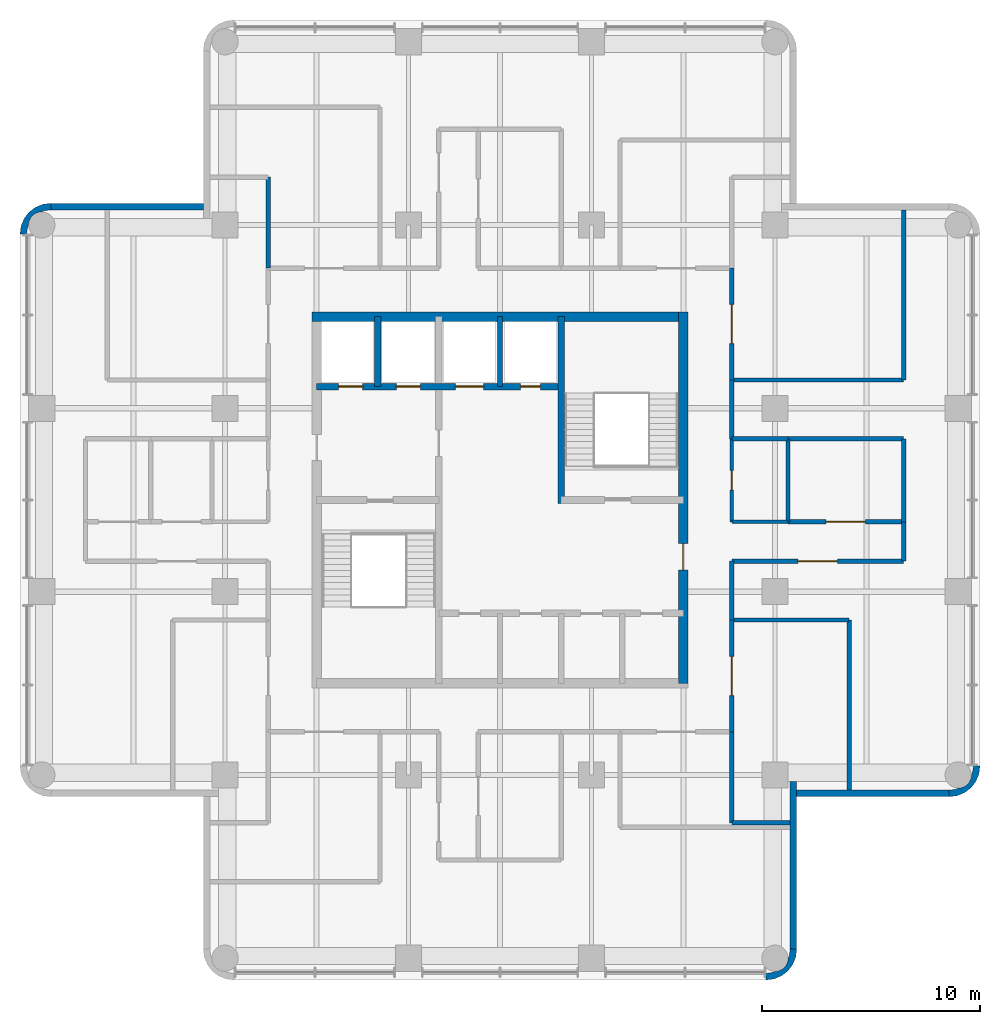
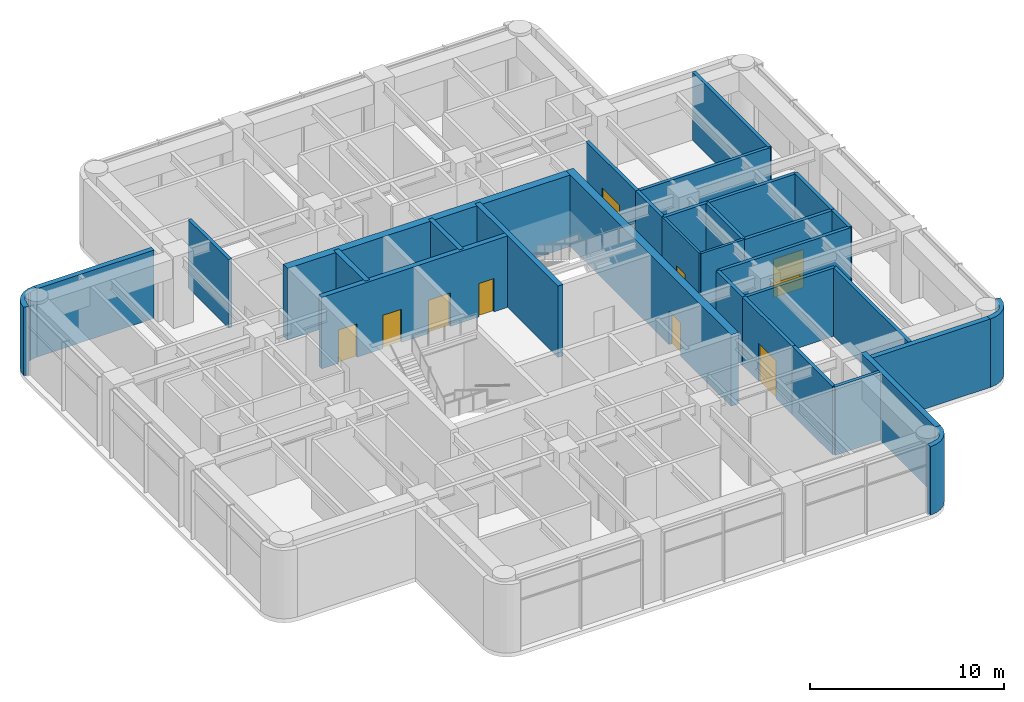
# One storey, part 6 of 8: 32 walls, 10 doors, 10 openings.
"""IFC4 building model written with IfcOpenShell, lengths in metres."""

from ifc_helpers import new_model, si_unit, direction, frame, frame_2d, origin, place, context, subcontext, project, spatial, polyline, rectangle, outline, extrude, material, layer, layer_set, type_object, element, fill, save


model = new_model("IFC4")

# Units and contexts
model_context = context("Model", 3, precision=1e-05, world=origin(), true_north=direction((0.0, 1.0)))
body_context = subcontext(model_context, "Body", "Model", "MODEL_VIEW")
ifc_project = project(units=[si_unit("LENGTHUNIT", "METRE"), si_unit("AREAUNIT", "SQUARE_METRE"), si_unit("VOLUMEUNIT", "CUBIC_METRE"), si_unit("PLANEANGLEUNIT", "RADIAN"), si_unit("MASSUNIT", "GRAM", prefix="KILO")], contexts=[model_context])

# Site, building, storey
site_placement = place(None, origin())
site = spatial("IfcSite", under=ifc_project, at=site_placement, CompositionType="ELEMENT")
building_placement = place(site_placement, origin())
building = spatial("IfcBuilding", under=site, at=building_placement, Name="Torre Alcanfor", CompositionType="ELEMENT")
storey_placement = place(building_placement, frame((0.0, 0.0, 305.39990234375)))
storey = spatial("IfcBuildingStorey", under=building, at=storey_placement, Name="L80", CompositionType="ELEMENT", Elevation=305.39990234375)

# Wall, openings, doors
ifc_material_1 = material(Name="Concrete f'c 70 MPa", Category="concrete")
ifc_layer_1 = layer(ifc_material_1, 0.300048828125)
ifc_layer_set_1 = layer_set([ifc_layer_1], Name="Core inner wall 300 f'c70")
wall_type_1 = type_object("IfcWallType", Name="Core inner wall 300 f'c70", PredefinedType="SHEAR", material=ifc_layer_set_1)
wall_1_placement = place(storey_placement, frame((21.0, 34.60009765625, 0.0), z_axis=(0.0, 0.0, 1.0), x_axis=(1.0, 0.0, 0.0)))
wall_1 = element("IfcWall", 1, at=wall_1_placement, inside=storey, type_object=wall_type_1, Name="Core wall Y346 L80", PredefinedType="SHEAR", context=body_context, shape_type="SweptSolid", body=[
    extrude(rectangle(XDim=11.199951171875, YDim=0.300048828125, at=frame_2d((5.60009765625, 0.0))), origin(), (0.0, 0.0, 1.0), 4.5),
])
opening_1_placement = place(wall_1_placement, frame((9.35009765625, 0.0, 0.0)))
opening_1 = element("IfcOpeningElement", 2, at=opening_1_placement, cuts=wall_1, Name="Opening D-Q1", PredefinedType="OPENING", context=body_context, shape_type="SweptSolid", body=[
    extrude(rectangle(XDim=0.89990234375, YDim=2.10009765625, at=frame_2d((0.449951171875, 1.050048828125))), frame((0.0, 0.159912109375, 0.0), z_axis=(0.0, -1.0, 0.0), x_axis=(1.0, 0.0, 0.0)), (0.0, 0.0, 1.0), 0.320068359375),
])
opening_2_placement = place(wall_1_placement, frame((1.0, 0.0, 0.0)))
opening_2 = element("IfcOpeningElement", 3, at=opening_2_placement, cuts=wall_1, Name="Opening LD2", PredefinedType="OPENING", context=body_context, shape_type="SweptSolid", body=[
    extrude(rectangle(XDim=1.10009765625, YDim=2.10009765625, at=frame_2d((0.550048828125, 1.050048828125))), frame((0.0, 0.159912109375, 0.0), z_axis=(0.0, -1.0, 0.0), x_axis=(1.0, 0.0, 0.0)), (0.0, 0.0, 1.0), 0.320068359375),
])
opening_3_placement = place(wall_1_placement, frame((3.64990234375, 0.0, 0.0)))
opening_3 = element("IfcOpeningElement", 4, at=opening_3_placement, cuts=wall_1, Name="Opening LD2", PredefinedType="OPENING", context=body_context, shape_type="SweptSolid", body=[
    extrude(rectangle(XDim=1.10009765625, YDim=2.10009765625, at=frame_2d((0.550048828125, 1.050048828125))), frame((0.0, 0.159912109375, 0.0), z_axis=(0.0, -1.0, 0.0), x_axis=(1.0, 0.0, 0.0)), (0.0, 0.0, 1.0), 0.320068359375),
])
opening_4_placement = place(wall_1_placement, frame((6.35009765625, 0.0, 0.0)))
opening_4 = element("IfcOpeningElement", 5, at=opening_4_placement, cuts=wall_1, Name="Opening LD3", PredefinedType="OPENING", context=body_context, shape_type="SweptSolid", body=[
    extrude(rectangle(XDim=1.300048828125, YDim=2.10009765625, at=frame_2d((0.64990234375, 1.050048828125))), frame((0.0, 0.159912109375, 0.0), z_axis=(0.0, -1.0, 0.0), x_axis=(1.0, 0.0, 0.0)), (0.0, 0.0, 1.0), 0.320068359375),
])
ifc_material_2 = material(Name="Galvanised steel sheet ASTM A653", Category="steel")
door_type_1 = type_object("IfcDoorType", Name="Firefighting lift landing door 1100x2100", OperationType="DOUBLE_DOOR_SLIDING", PredefinedType="DOOR", material=ifc_material_2)
door_1_placement = place(opening_2_placement, origin())
door_1 = element("IfcDoor", 6, at=door_1_placement, inside=storey, type_object=door_type_1, Name="Lift landing door FL1 L80", OperationType="DOUBLE_DOOR_SLIDING", OverallHeight=2.10009765625, OverallWidth=1.10009765625, PredefinedType="DOOR", context=body_context, shape_type="SweptSolid", body=[
    extrude(rectangle(XDim=1.10009765625, YDim=2.10009765625, at=frame_2d((0.550048828125, 1.050048828125))), frame((0.0, 0.02490234375, 0.0), z_axis=(0.0, -1.0, 0.0), x_axis=(1.0, 0.0, 0.0)), (0.0, 0.0, 1.0), 0.050048828125),
])
fill(opening_2, door_1)
door_2_placement = place(opening_3_placement, origin())
door_2 = element("IfcDoor", 7, at=door_2_placement, inside=storey, type_object=door_type_1, Name="Lift landing door FL2 L80", OperationType="DOUBLE_DOOR_SLIDING", OverallHeight=2.10009765625, OverallWidth=1.10009765625, PredefinedType="DOOR", context=body_context, shape_type="SweptSolid", body=[
    extrude(rectangle(XDim=1.10009765625, YDim=2.10009765625, at=frame_2d((0.550048828125, 1.050048828125))), frame((0.0, 0.02490234375, 0.0), z_axis=(0.0, -1.0, 0.0), x_axis=(1.0, 0.0, 0.0)), (0.0, 0.0, 1.0), 0.050048828125),
])
fill(opening_3, door_2)
ifc_material_3 = material(Name="Galvanised steel sheet ASTM A653", Category="steel")
door_type_2 = type_object("IfcDoorType", Name="Riser access door FD120 900x2100", OperationType="SINGLE_SWING_LEFT", PredefinedType="DOOR", material=ifc_material_3)
door_3_placement = place(opening_1_placement, origin())
door_3 = element("IfcDoor", 8, at=door_3_placement, inside=storey, type_object=door_type_2, Name="Riser door L80", OperationType="SINGLE_SWING_LEFT", OverallHeight=2.10009765625, OverallWidth=0.89990234375, PredefinedType="DOOR", context=body_context, shape_type="SweptSolid", body=[
    extrude(rectangle(XDim=0.89990234375, YDim=2.10009765625, at=frame_2d((0.449951171875, 1.050048828125))), frame((0.0, 0.02490234375, 0.0), z_axis=(0.0, -1.0, 0.0), x_axis=(1.0, 0.0, 0.0)), (0.0, 0.0, 1.0), 0.050048828125),
])
fill(opening_1, door_3)
ifc_material_4 = material(Name="Galvanised steel sheet ASTM A653", Category="steel")
door_type_3 = type_object("IfcDoorType", Name="Service lift landing door 1300x2100", OperationType="DOUBLE_DOOR_SLIDING", PredefinedType="DOOR", material=ifc_material_4)
door_4_placement = place(opening_4_placement, origin())
door_4 = element("IfcDoor", 9, at=door_4_placement, inside=storey, type_object=door_type_3, Name="Lift landing door SL1 L80", OperationType="DOUBLE_DOOR_SLIDING", OverallHeight=2.10009765625, OverallWidth=1.300048828125, PredefinedType="DOOR", context=body_context, shape_type="SweptSolid", body=[
    extrude(rectangle(XDim=1.300048828125, YDim=2.10009765625, at=frame_2d((0.64990234375, 1.050048828125))), frame((0.0, 0.02490234375, 0.0), z_axis=(0.0, -1.0, 0.0), x_axis=(1.0, 0.0, 0.0)), (0.0, 0.0, 1.0), 0.050048828125),
])
fill(opening_4, door_4)

# Walls
wall_2_placement = place(storey_placement, frame((23.800048828125, 34.60009765625, 0.0), z_axis=(0.0, 0.0, 1.0), x_axis=(0.0, 1.0, 0.0)))
element("IfcWall", 10, at=wall_2_placement, inside=storey, type_object=wall_type_1, Name="Core wall X238 L80", PredefinedType="SHEAR", context=body_context, shape_type="SweptSolid", body=[
    extrude(rectangle(XDim=3.199951171875, YDim=0.300048828125, at=frame_2d((1.60009765625, 0.0))), origin(), (0.0, 0.0, 1.0), 4.5),
])
wall_3_placement = place(storey_placement, frame((32.199951171875, 29.25, 0.0), z_axis=(0.0, 0.0, 1.0), x_axis=(0.0, 1.0, 0.0)))
element("IfcWall", 11, at=wall_3_placement, inside=storey, type_object=wall_type_1, Name="Core wall X322N L80", PredefinedType="SHEAR", context=body_context, shape_type="SweptSolid", body=[
    extrude(rectangle(XDim=8.550048828125, YDim=0.300048828125, at=frame_2d((4.27490234375, 0.0))), origin(), (0.0, 0.0, 1.0), 4.5),
])
ifc_material_5 = material(Name="Concrete f'c 70 MPa", Category="concrete")
ifc_layer_2 = layer(ifc_material_5, 0.25)
ifc_layer_set_2 = layer_set([ifc_layer_2], Name="Core shaft wall 250 f'c70")
wall_type_2 = type_object("IfcWallType", Name="Core shaft wall 250 f'c70", PredefinedType="SHEAR", material=ifc_layer_set_2)
wall_4_placement = place(storey_placement, frame((29.39990234375, 34.60009765625, 0.0), z_axis=(0.0, 0.0, 1.0), x_axis=(0.0, 1.0, 0.0)))
element("IfcWall", 12, at=wall_4_placement, inside=storey, type_object=wall_type_2, Name="Core wall X294N L80", PredefinedType="SHEAR", context=body_context, shape_type="SweptSolid", body=[
    extrude(rectangle(XDim=3.199951171875, YDim=0.25, at=frame_2d((1.60009765625, 0.0))), origin(), (0.0, 0.0, 1.0), 4.5),
])

# Wall, opening, door
ifc_material_6 = material(Name="Concrete f'c 70 MPa", Category="concrete")
ifc_layer_3 = layer(ifc_material_6, 0.449951171875)
ifc_layer_set_3 = layer_set([ifc_layer_3], Name="Core wall 450 f'c70")
wall_type_3 = type_object("IfcWallType", Name="Core wall 450 f'c70", PredefinedType="SHEAR", material=ifc_layer_set_3)
wall_5_placement = place(storey_placement, frame((37.800048828125, 21.0, 0.0), z_axis=(0.0, 0.0, 1.0), x_axis=(0.0, 1.0, 0.0)))
wall_5 = element("IfcWall", 13, at=wall_5_placement, inside=storey, type_object=wall_type_3, Name="Core wall OUT-E L80", PredefinedType="SHEAR", context=body_context, shape_type="SweptSolid", body=[
    extrude(rectangle(XDim=17.02490234375, YDim=0.449951171875, at=frame_2d((8.512451171875, 0.0))), origin(), (0.0, 0.0, 1.0), 4.5),
])
opening_5_placement = place(wall_5_placement, frame((5.199951171875, 0.0, 0.0)))
opening_5 = element("IfcOpeningElement", 14, at=opening_5_placement, cuts=wall_5, Name="Opening D-L1", PredefinedType="OPENING", context=body_context, shape_type="SweptSolid", body=[
    extrude(rectangle(XDim=1.199951171875, YDim=2.10009765625, at=frame_2d((0.60009765625, 1.050048828125))), frame((0.0, 0.23486328125, 0.0), z_axis=(0.0, -1.0, 0.0), x_axis=(1.0, 0.0, 0.0)), (0.0, 0.0, 1.0), 0.469970703125),
])
ifc_material_7 = material(Name="Galvanised steel sheet ASTM A653", Category="steel")
door_type_4 = type_object("IfcDoorType", Name="Lobby door FD120 1200x2100", OperationType="SINGLE_SWING_LEFT", PredefinedType="DOOR", material=ifc_material_7)
door_5_placement = place(opening_5_placement, origin())
door_5 = element("IfcDoor", 15, at=door_5_placement, inside=storey, type_object=door_type_4, Name="Lift lobby entrance door L80", OperationType="SINGLE_SWING_LEFT", OverallHeight=2.10009765625, OverallWidth=1.199951171875, PredefinedType="DOOR", context=body_context, shape_type="SweptSolid", body=[
    extrude(rectangle(XDim=1.199951171875, YDim=2.10009765625, at=frame_2d((0.60009765625, 1.050048828125))), frame((0.0, 0.02490234375, 0.0), z_axis=(0.0, -1.0, 0.0), x_axis=(1.0, 0.0, 0.0)), (0.0, 0.0, 1.0), 0.050048828125),
])
fill(opening_5, door_5)

# Walls
wall_6_placement = place(storey_placement, frame((37.800048828125, 37.800048828125, 0.0), z_axis=(0.0, 0.0, 1.0), x_axis=(-1.0, 0.0, 0.0)))
element("IfcWall", 16, at=wall_6_placement, inside=storey, type_object=wall_type_3, Name="Core wall OUT-N L80", PredefinedType="SHEAR", context=body_context, shape_type="SweptSolid", body=[
    extrude(rectangle(XDim=17.025146484375, YDim=0.449951171875, at=frame_2d((8.5126953125, 0.0))), origin(), (0.0, 0.0, 1.0), 4.5),
])
ifc_material_8 = material(Name="Limestone cladding", Category="masonry")
ifc_layer_4 = layer(ifc_material_8, 0.0400390625, Name="Facing")
ifc_material_9 = material(Name="Ventilated air cavity")
ifc_layer_5 = layer(ifc_material_9, 0.02001953125, ventilated=True, Name="Ventilated joint")
ifc_material_10 = material(Name="Mineral wool insulation", Category="insulation")
ifc_layer_6 = layer(ifc_material_10, 0.10009765625, Name="Insulation")
ifc_material_11 = material(Name="Concrete f'c 35 MPa", Category="concrete")
ifc_layer_7 = layer(ifc_material_11, 0.139892578125, Name="Backing")
ifc_layer_set_4 = layer_set([ifc_layer_4, ifc_layer_5, ifc_layer_6, ifc_layer_7], Name="External wall stone-clad 300")
wall_type_4 = type_object("IfcWallType", Name="External wall stone-clad 300", PredefinedType="SOLIDWALL", material=ifc_layer_set_4)
wall_7_placement = place(storey_placement, frame((15.800048828125, 42.85009765625, 0.0), z_axis=(0.0, 0.0, 1.0), x_axis=(-1.0, 0.0, 0.0)))
element("IfcWall", 17, at=wall_7_placement, inside=storey, type_object=wall_type_4, Name="External wall L80 1", PredefinedType="SOLIDWALL", context=body_context, shape_type="SweptSolid", body=[
    extrude(rectangle(XDim=7.0, YDim=0.300048828125, at=frame_2d((3.5, 0.0))), origin(), (0.0, 0.0, 1.0), 4.300048828125),
])
wall_8_placement = place(storey_placement, frame((42.85009765625, 8.800048828125, 0.0), z_axis=(0.0, 0.0, 1.0), x_axis=(0.0, 1.0, 0.0)))
element("IfcWall", 18, at=wall_8_placement, inside=storey, type_object=wall_type_4, Name="External wall L80 6", PredefinedType="SOLIDWALL", context=body_context, shape_type="SweptSolid", body=[
    extrude(rectangle(XDim=7.699951171875, YDim=0.300048828125, at=frame_2d((3.85009765625, 0.0))), origin(), (0.0, 0.0, 1.0), 4.300048828125),
])
wall_9_placement = place(storey_placement, frame((43.0, 15.949951171875, 0.0), z_axis=(0.0, 0.0, 1.0), x_axis=(1.0, 0.0, 0.0)))
element("IfcWall", 19, at=wall_9_placement, inside=storey, type_object=wall_type_4, Name="External wall L80 7", PredefinedType="SOLIDWALL", context=body_context, shape_type="SweptSolid", body=[
    extrude(rectangle(XDim=7.0, YDim=0.300048828125, at=frame_2d((3.5, 0.0))), origin(), (0.0, 0.0, 1.0), 4.300048828125),
])

# Wall, opening, door
ifc_material_12 = material(Name="Concrete block masonry, hollow blocks NMX-C-404 9 MPa", Category="masonry")
ifc_layer_8 = layer(ifc_material_12, 0.199951171875)
ifc_layer_set_5 = layer_set([ifc_layer_8], Name="Plant room wall 200 EI 60")
wall_type_5 = type_object("IfcWallType", Name="Plant room wall 200 EI 60", PredefinedType="PARTITIONING", material=ifc_layer_set_5)
wall_10_placement = place(storey_placement, frame((40.02490234375, 23.89990234375, 0.0), z_axis=(0.0, 0.0, 1.0), x_axis=(0.0, -1.0, 0.0)))
wall_10 = element("IfcWall", 20, at=wall_10_placement, inside=storey, type_object=wall_type_5, Name="Partition L80-CORR / L80-E1", PredefinedType="PARTITIONING", context=body_context, shape_type="SweptSolid", body=[
    extrude(rectangle(XDim=5.125, YDim=0.199951171875, at=frame_2d((2.5625, 0.0))), origin(), (0.0, 0.0, 1.0), 4.300048828125),
])
opening_6_placement = place(wall_10_placement, frame((1.66259765625, 0.0, 0.0)))
opening_6 = element("IfcOpeningElement", 21, at=opening_6_placement, cuts=wall_10, Name="Opening D-P1", PredefinedType="OPENING", context=body_context, shape_type="SweptSolid", body=[
    extrude(rectangle(XDim=1.800048828125, YDim=2.39990234375, at=frame_2d((0.89990234375, 1.199951171875))), frame((0.0, 0.10986328125, 0.0), z_axis=(0.0, -1.0, 0.0), x_axis=(1.0, 0.0, 0.0)), (0.0, 0.0, 1.0), 0.219970703125),
])
ifc_material_13 = material(Name="Galvanised steel sheet ASTM A653", Category="steel")
door_type_5 = type_object("IfcDoorType", Name="Plant room door FD60 1800x2400", OperationType="DOUBLE_DOOR_SINGLE_SWING", PredefinedType="DOOR", material=ifc_material_13)
door_6_placement = place(opening_6_placement, origin())
door_6 = element("IfcDoor", 22, at=door_6_placement, inside=storey, type_object=door_type_5, Name="Door L80-E1 stair pressurisation fan plant room", OperationType="DOUBLE_DOOR_SINGLE_SWING", OverallHeight=2.39990234375, OverallWidth=1.800048828125, PredefinedType="DOOR", context=body_context, shape_type="SweptSolid", body=[
    extrude(rectangle(XDim=1.800048828125, YDim=2.39990234375, at=frame_2d((0.89990234375, 1.199951171875))), frame((0.0, 0.02490234375, 0.0), z_axis=(0.0, -1.0, 0.0), x_axis=(1.0, 0.0, 0.0)), (0.0, 0.0, 1.0), 0.050048828125),
])
fill(opening_6, door_6)

wall_11_placement = place(storey_placement, frame((40.02490234375, 40.02490234375, 0.0), z_axis=(0.0, 0.0, 1.0), x_axis=(0.0, -1.0, 0.0)))
wall_11 = element("IfcWall", 23, at=wall_11_placement, inside=storey, type_object=wall_type_5, Name="Partition L80-CORR / L80-E2", PredefinedType="PARTITIONING", context=body_context, shape_type="SweptSolid", body=[
    extrude(rectangle(XDim=5.125, YDim=0.199951171875, at=frame_2d((2.5625, 0.0))), origin(), (0.0, 0.0, 1.0), 4.300048828125),
])
opening_7_placement = place(wall_11_placement, frame((1.66259765625, 0.0, 0.0)))
opening_7 = element("IfcOpeningElement", 24, at=opening_7_placement, cuts=wall_11, Name="Opening D-P1", PredefinedType="OPENING", context=body_context, shape_type="SweptSolid", body=[
    extrude(rectangle(XDim=1.800048828125, YDim=2.39990234375, at=frame_2d((0.89990234375, 1.199951171875))), frame((0.0, 0.10986328125, 0.0), z_axis=(0.0, -1.0, 0.0), x_axis=(1.0, 0.0, 0.0)), (0.0, 0.0, 1.0), 0.219970703125),
])
door_7_placement = place(opening_7_placement, origin())
door_7 = element("IfcDoor", 25, at=door_7_placement, inside=storey, type_object=door_type_5, Name="Door L80-E2 water tank pump room", OperationType="DOUBLE_DOOR_SINGLE_SWING", OverallHeight=2.39990234375, OverallWidth=1.800048828125, PredefinedType="DOOR", context=body_context, shape_type="SweptSolid", body=[
    extrude(rectangle(XDim=1.800048828125, YDim=2.39990234375, at=frame_2d((0.89990234375, 1.199951171875))), frame((0.0, 0.02490234375, 0.0), z_axis=(0.0, -1.0, 0.0), x_axis=(1.0, 0.0, 0.0)), (0.0, 0.0, 1.0), 0.050048828125),
])
fill(opening_7, door_7)

# Walls
wall_12_placement = place(storey_placement, frame((40.02490234375, 26.60009765625, 0.0), z_axis=(0.0, 0.0, 1.0), x_axis=(0.0, -1.0, 0.0)))
element("IfcWall", 26, at=wall_12_placement, inside=storey, type_object=wall_type_5, Name="Partition L80-CORR / L80-EH", PredefinedType="PARTITIONING", context=body_context, shape_type="SweptSolid", body=[
    extrude(rectangle(XDim=2.7001953125, YDim=0.199951171875, at=frame_2d((1.35009765625, 0.0))), origin(), (0.0, 0.0, 1.0), 4.300048828125),
])
wall_13_placement = place(storey_placement, frame((40.02490234375, 34.89990234375, 0.0), z_axis=(0.0, 0.0, 1.0), x_axis=(0.0, -1.0, 0.0)))
element("IfcWall", 27, at=wall_13_placement, inside=storey, type_object=wall_type_5, Name="Partition L80-CORR / L80-EH", PredefinedType="PARTITIONING", context=body_context, shape_type="SweptSolid", body=[
    extrude(rectangle(XDim=2.699951171875, YDim=0.199951171875, at=frame_2d((1.35009765625, 0.0))), origin(), (0.0, 0.0, 1.0), 4.300048828125),
])
wall_14_placement = place(storey_placement, frame((18.77490234375, 40.02490234375, 0.0), z_axis=(0.0, 0.0, 1.0), x_axis=(0.0, 1.0, 0.0)))
element("IfcWall", 28, at=wall_14_placement, inside=storey, type_object=wall_type_5, Name="Partition L80-N1 / L80-W2", PredefinedType="PARTITIONING", context=body_context, shape_type="SweptSolid", body=[
    extrude(rectangle(XDim=4.175048828125, YDim=0.199951171875, at=frame_2d((2.08740234375, 0.0))), origin(), (0.0, 0.0, 1.0), 4.300048828125),
])
wall_15_placement = place(storey_placement, frame((40.02490234375, 23.89990234375, 0.0), z_axis=(0.0, 0.0, 1.0), x_axis=(1.0, 0.0, 0.0)))
element("IfcWall", 29, at=wall_15_placement, inside=storey, type_object=wall_type_5, Name="Partition L80-E1 / L80-EH", PredefinedType="PARTITIONING", context=body_context, shape_type="SweptSolid", body=[
    extrude(rectangle(XDim=5.375, YDim=0.199951171875, at=frame_2d((2.6875, 0.0))), origin(), (0.0, 0.0, 1.0), 4.300048828125),
])
wall_16_placement = place(storey_placement, frame((45.39990234375, 23.89990234375, 0.0), z_axis=(0.0, 0.0, 1.0), x_axis=(0.0, -1.0, 0.0)))
element("IfcWall", 30, at=wall_16_placement, inside=storey, type_object=wall_type_5, Name="Partition L80-E1 / L80-EH", PredefinedType="PARTITIONING", context=body_context, shape_type="SweptSolid", body=[
    extrude(rectangle(XDim=7.7998046875, YDim=0.199951171875, at=frame_2d((3.89990234375, 0.0))), origin(), (0.0, 0.0, 1.0), 4.300048828125),
])
wall_17_placement = place(storey_placement, frame((42.699951171875, 14.60009765625, 0.0), z_axis=(0.0, 0.0, 1.0), x_axis=(-1.0, 0.0, 0.0)))
element("IfcWall", 31, at=wall_17_placement, inside=storey, type_object=wall_type_5, Name="Partition L80-E1 / L80-S2", PredefinedType="PARTITIONING", context=body_context, shape_type="SweptSolid", body=[
    extrude(rectangle(XDim=2.675048828125, YDim=0.199951171875, at=frame_2d((1.33740234375, 0.0))), origin(), (0.0, 0.0, 1.0), 4.300048828125),
])
wall_18_placement = place(storey_placement, frame((40.02490234375, 14.60009765625, 0.0), z_axis=(0.0, 0.0, 1.0), x_axis=(0.0, 1.0, 0.0)))
element("IfcWall", 32, at=wall_18_placement, inside=storey, type_object=wall_type_5, Name="Partition L80-E1 / L80-S2", PredefinedType="PARTITIONING", context=body_context, shape_type="SweptSolid", body=[
    extrude(rectangle(XDim=4.1748046875, YDim=0.199951171875, at=frame_2d((2.08740234375, 0.0))), origin(), (0.0, 0.0, 1.0), 4.300048828125),
])
wall_19_placement = place(storey_placement, frame((47.89990234375, 42.699951171875, 0.0), z_axis=(0.0, 0.0, 1.0), x_axis=(0.0, -1.0, 0.0)))
element("IfcWall", 33, at=wall_19_placement, inside=storey, type_object=wall_type_5, Name="Partition L80-E2 / L80-EH", PredefinedType="PARTITIONING", context=body_context, shape_type="SweptSolid", body=[
    extrude(rectangle(XDim=7.800048828125, YDim=0.199951171875, at=frame_2d((3.89990234375, 0.0))), origin(), (0.0, 0.0, 1.0), 4.300048828125),
])
wall_20_placement = place(storey_placement, frame((47.89990234375, 34.89990234375, 0.0), z_axis=(0.0, 0.0, 1.0), x_axis=(-1.0, 0.0, 0.0)))
element("IfcWall", 34, at=wall_20_placement, inside=storey, type_object=wall_type_5, Name="Partition L80-E2 / L80-EH", PredefinedType="PARTITIONING", context=body_context, shape_type="SweptSolid", body=[
    extrude(rectangle(XDim=7.875, YDim=0.199951171875, at=frame_2d((3.9375, 0.0))), origin(), (0.0, 0.0, 1.0), 4.300048828125),
])

# Wall, opening, door
wall_21_placement = place(storey_placement, frame((42.60009765625, 28.39990234375, 0.0), z_axis=(0.0, 0.0, 1.0), x_axis=(1.0, 0.0, 0.0)))
wall_21 = element("IfcWall", 35, at=wall_21_placement, inside=storey, type_object=wall_type_5, Name="Partition L80-EC / L80-E4", PredefinedType="PARTITIONING", context=body_context, shape_type="SweptSolid", body=[
    extrude(rectangle(XDim=5.2998046875, YDim=0.199951171875, at=frame_2d((2.64990234375, 0.0))), origin(), (0.0, 0.0, 1.0), 4.300048828125),
])
opening_8_placement = place(wall_21_placement, frame((1.75, 0.0, 0.0)))
opening_8 = element("IfcOpeningElement", 36, at=opening_8_placement, cuts=wall_21, Name="Opening D-P1", PredefinedType="OPENING", context=body_context, shape_type="SweptSolid", body=[
    extrude(rectangle(XDim=1.800048828125, YDim=2.39990234375, at=frame_2d((0.89990234375, 1.199951171875))), frame((0.0, 0.10986328125, 0.0), z_axis=(0.0, -1.0, 0.0), x_axis=(1.0, 0.0, 0.0)), (0.0, 0.0, 1.0), 0.219970703125),
])
door_8_placement = place(opening_8_placement, origin())
door_8 = element("IfcDoor", 37, at=door_8_placement, inside=storey, type_object=door_type_5, Name="Door L80-E4 lv switch room", OperationType="DOUBLE_DOOR_SINGLE_SWING", OverallHeight=2.39990234375, OverallWidth=1.800048828125, PredefinedType="DOOR", context=body_context, shape_type="SweptSolid", body=[
    extrude(rectangle(XDim=1.800048828125, YDim=2.39990234375, at=frame_2d((0.89990234375, 1.199951171875))), frame((0.0, 0.02490234375, 0.0), z_axis=(0.0, -1.0, 0.0), x_axis=(1.0, 0.0, 0.0)), (0.0, 0.0, 1.0), 0.050048828125),
])
fill(opening_8, door_8)

# Wall
wall_22_placement = place(storey_placement, frame((47.89990234375, 28.39990234375, 0.0), z_axis=(0.0, 0.0, 1.0), x_axis=(0.0, -1.0, 0.0)))
element("IfcWall", 38, at=wall_22_placement, inside=storey, type_object=wall_type_5, Name="Partition L80-EC / L80-EH", PredefinedType="PARTITIONING", context=body_context, shape_type="SweptSolid", body=[
    extrude(rectangle(XDim=1.7998046875, YDim=0.199951171875, at=frame_2d((0.89990234375, 0.0))), origin(), (0.0, 0.0, 1.0), 4.300048828125),
])

# Wall, opening, door
wall_23_placement = place(storey_placement, frame((47.89990234375, 26.60009765625, 0.0), z_axis=(0.0, 0.0, 1.0), x_axis=(-1.0, 0.0, 0.0)))
wall_23 = element("IfcWall", 39, at=wall_23_placement, inside=storey, type_object=wall_type_5, Name="Partition L80-EC / L80-EH", PredefinedType="PARTITIONING", context=body_context, shape_type="SweptSolid", body=[
    extrude(rectangle(XDim=7.875, YDim=0.199951171875, at=frame_2d((3.9375, 0.0))), origin(), (0.0, 0.0, 1.0), 4.300048828125),
])
opening_9_placement = place(wall_23_placement, frame((3.03759765625, 0.0, 0.0)))
opening_9 = element("IfcOpeningElement", 40, at=opening_9_placement, cuts=wall_23, Name="Opening D-P1", PredefinedType="OPENING", context=body_context, shape_type="SweptSolid", body=[
    extrude(rectangle(XDim=1.800048828125, YDim=2.39990234375, at=frame_2d((0.89990234375, 1.199951171875))), frame((0.0, 0.10986328125, 0.0), z_axis=(0.0, -1.0, 0.0), x_axis=(1.0, 0.0, 0.0)), (0.0, 0.0, 1.0), 0.219970703125),
])
door_9_placement = place(opening_9_placement, origin())
door_9 = element("IfcDoor", 41, at=door_9_placement, inside=storey, type_object=door_type_5, Name="Door L80-EH air handling plant room", OperationType="DOUBLE_DOOR_SINGLE_SWING", OverallHeight=2.39990234375, OverallWidth=1.800048828125, PredefinedType="DOOR", context=body_context, shape_type="SweptSolid", body=[
    extrude(rectangle(XDim=1.800048828125, YDim=2.39990234375, at=frame_2d((0.89990234375, 1.199951171875))), frame((0.0, 0.02490234375, 0.0), z_axis=(0.0, -1.0, 0.0), x_axis=(1.0, 0.0, 0.0)), (0.0, 0.0, 1.0), 0.050048828125),
])
fill(opening_9, door_9)

# Walls
wall_24_placement = place(storey_placement, frame((42.60009765625, 32.199951171875, 0.0), z_axis=(0.0, 0.0, 1.0), x_axis=(0.0, -1.0, 0.0)))
element("IfcWall", 42, at=wall_24_placement, inside=storey, type_object=wall_type_5, Name="Partition L80-E3 / L80-E4", PredefinedType="PARTITIONING", context=body_context, shape_type="SweptSolid", body=[
    extrude(rectangle(XDim=3.800048828125, YDim=0.199951171875, at=frame_2d((1.89990234375, 0.0))), origin(), (0.0, 0.0, 1.0), 4.300048828125),
])
wall_25_placement = place(storey_placement, frame((40.02490234375, 32.199951171875, 0.0), z_axis=(0.0, 0.0, 1.0), x_axis=(1.0, 0.0, 0.0)))
element("IfcWall", 43, at=wall_25_placement, inside=storey, type_object=wall_type_5, Name="Partition L80-E3 / L80-EH", PredefinedType="PARTITIONING", context=body_context, shape_type="SweptSolid", body=[
    extrude(rectangle(XDim=2.5751953125, YDim=0.199951171875, at=frame_2d((1.28759765625, 0.0))), origin(), (0.0, 0.0, 1.0), 4.300048828125),
])
wall_26_placement = place(storey_placement, frame((42.60009765625, 32.199951171875, 0.0), z_axis=(0.0, 0.0, 1.0), x_axis=(1.0, 0.0, 0.0)))
element("IfcWall", 44, at=wall_26_placement, inside=storey, type_object=wall_type_5, Name="Partition L80-E4 / L80-EH", PredefinedType="PARTITIONING", context=body_context, shape_type="SweptSolid", body=[
    extrude(rectangle(XDim=5.2998046875, YDim=0.199951171875, at=frame_2d((2.64990234375, 0.0))), origin(), (0.0, 0.0, 1.0), 4.300048828125),
])
wall_27_placement = place(storey_placement, frame((47.89990234375, 32.199951171875, 0.0), z_axis=(0.0, 0.0, 1.0), x_axis=(0.0, -1.0, 0.0)))
element("IfcWall", 45, at=wall_27_placement, inside=storey, type_object=wall_type_5, Name="Partition L80-E4 / L80-EH", PredefinedType="PARTITIONING", context=body_context, shape_type="SweptSolid", body=[
    extrude(rectangle(XDim=3.800048828125, YDim=0.199951171875, at=frame_2d((1.89990234375, 0.0))), origin(), (0.0, 0.0, 1.0), 4.300048828125),
])
ifc_layer_9 = layer(ifc_material_8, 0.0400390625, Name="Facing")
ifc_layer_10 = layer(ifc_material_9, 0.02001953125, ventilated=True, Name="Ventilated joint")
ifc_layer_11 = layer(ifc_material_10, 0.10009765625, Name="Insulation")
ifc_layer_12 = layer(ifc_material_11, 0.139892578125, Name="Backing")
ifc_layer_set_6 = layer_set([ifc_layer_9, ifc_layer_10, ifc_layer_11, ifc_layer_12], Name="Rounded corner pier stone-clad 300")
wall_type_6 = type_object("IfcWallType", Name="Rounded corner pier stone-clad 300", PredefinedType="SOLIDWALL", material=ifc_layer_set_6)
wall_28_placement = place(storey_placement, frame((8.761581746, 42.575898117, 0.0), z_axis=(0.0, 0.0, 1.0), x_axis=(-0.707106781187, 0.707106781187, 0.0)))
element("IfcWall", 46, at=wall_28_placement, inside=storey, type_object=wall_type_6, Name="Corner pier L80 13", PredefinedType="SOLIDWALL", context=body_context, shape_type="SweptSolid", body=[
    extrude(outline(polyline([(0.23297927971509194, 0.11416555226925892), (0.04670774238592084, -0.12872977027211618), (0.032551796082869844, -0.1428857165751672), (0.27268498276023495, -0.32708565200633083), (0.49520955330453675, -0.03723401977678656), (0.6350426814200405, 0.3004370895984301), (0.6826895250742122, 0.6629674217497361), (0.6350426814200405, 1.025152486918041), (0.49520955330453664, 1.3628235962932576), (0.27285761625173566, 1.6528478620143026), (0.032724429574370495, 1.468647926583139), (0.0467077423859209, 1.4546646137715884), (0.23315191320659262, 1.2115966577387127), (0.29219256729980525, 1.0690013937591991), (0.3577932940700416, 1.0034006669889626), (0.44946167805687187, 0.7826024313596671), (0.44946167805687187, 0.5433324121398051), (0.3579659275615422, 0.322361543019009), (0.29219256729980525, 0.256588182757272), (0.23297927971509194, 0.11416555226925892)])), origin(), (0.0, 0.0, 1.0), 4.300048828125),
])
wall_29_placement = place(storey_placement, frame((41.638418254, 7.824101883, 0.0), z_axis=(0.0, 0.0, 1.0), x_axis=(0.707106781187, -0.707106781187, 0.0)))
element("IfcWall", 47, at=wall_29_placement, inside=storey, type_object=wall_type_6, Name="Corner pier L80 16", PredefinedType="SOLIDWALL", context=body_context, shape_type="SweptSolid", body=[
    extrude(outline(polyline([(0.0325517960828704, 1.468682453281438), (0.04670774238592146, 1.4545265069783868), (0.23297927971509252, 1.2116311844370118), (0.29219256729980597, 1.0692085539489986), (0.35796592756154294, 1.0034351936872616), (0.44946167805687254, 0.7824643245664655), (0.44946167805687254, 0.5431943053466035), (0.3577932940700423, 0.322396069717308), (0.2921925672998059, 0.2567953429470716), (0.23315191320659318, 0.1142000789675579), (0.046707742385921465, -0.12886787706531783), (0.03272442957437109, -0.14285118987686818), (0.2728576162517362, -0.3270511253080318), (0.4952095533045373, -0.03702685958698693), (0.6350426814200412, 0.3006442497882296), (0.6826895250742129, 0.6628293149565345), (0.635042681420041, 1.0253596471078406), (0.49520955330453736, 1.3630307564830573), (0.2726849827602357, 1.6528823887126016), (0.0325517960828704, 1.468682453281438)])), origin(), (0.0, 0.0, 1.0), 4.300048828125),
])
wall_30_placement = place(storey_placement, frame((50.038418254, 16.224101883, 0.0), z_axis=(0.0, 0.0, 1.0), x_axis=(0.707106781187, -0.707106781187, 0.0)))
element("IfcWall", 48, at=wall_30_placement, inside=storey, type_object=wall_type_6, Name="Corner pier L80 17", PredefinedType="SOLIDWALL", context=body_context, shape_type="SweptSolid", body=[
    extrude(outline(polyline([(0.046707742385922124, 1.454733667168189), (0.23315191320659384, 1.2116657111353133), (0.29219256729980647, 1.0690704471557995), (0.35796592756154344, 1.0032970868940625), (0.44928904456537255, 0.782498851264767), (0.44946167805687315, 0.5434014655364057), (0.3579659275615435, 0.3224305964156095), (0.2921925672998065, 0.25665723615387254), (0.2331519132065938, 0.11406197217435879), (0.046535108894421466, -0.1288333503670163), (0.032551796082871086, -0.14281666317856667), (0.2726849827602362, -0.3270165986097303), (0.495209553304538, -0.03716496638018607), (0.6350426814200417, 0.30050614299503053), (0.6826895250742134, 0.6630364751463366), (0.6350426814200417, 1.0252215403146416), (0.495209553304538, 1.3628926496898581), (0.27268498276023634, 1.6527442819194023), (0.032724429574371716, 1.4687169799797393), (0.046707742385922124, 1.454733667168189)])), origin(), (0.0, 0.0, 1.0), 4.300048828125),
])

# Wall, opening, door
ifc_material_14 = material(Name="Cement board on steel studs", Category="steel")
ifc_layer_13 = layer(ifc_material_14, 0.14990234375)
ifc_layer_set_7 = layer_set([ifc_layer_13], Name="Wet area partition 150")
wall_type_7 = type_object("IfcWallType", Name="Wet area partition 150", PredefinedType="PARTITIONING", material=ifc_layer_set_7)
wall_31_placement = place(storey_placement, frame((40.02490234375, 32.199951171875, 0.0), z_axis=(0.0, 0.0, 1.0), x_axis=(0.0, -1.0, 0.0)))
wall_31 = element("IfcWall", 49, at=wall_31_placement, inside=storey, type_object=wall_type_7, Name="Partition L80-CORR / L80-E3", PredefinedType="PARTITIONING", context=body_context, shape_type="SweptSolid", body=[
    extrude(rectangle(XDim=3.800048828125, YDim=0.14990234375, at=frame_2d((1.89990234375, 0.0))), origin(), (0.0, 0.0, 1.0), 4.300048828125),
])
opening_10_placement = place(wall_31_placement, frame((1.449951171875, 0.0, 0.0)))
opening_10 = element("IfcOpeningElement", 50, at=opening_10_placement, cuts=wall_31, Name="Opening D-W1", PredefinedType="OPENING", context=body_context, shape_type="SweptSolid", body=[
    extrude(rectangle(XDim=0.89990234375, YDim=2.10009765625, at=frame_2d((0.449951171875, 1.050048828125))), frame((0.0, 0.0849609375, 0.0), z_axis=(0.0, -1.0, 0.0), x_axis=(1.0, 0.0, 0.0)), (0.0, 0.0, 1.0), 0.169921875),
])
ifc_material_15 = material(Name="Timber", Category="wood")
door_type_6 = type_object("IfcDoorType", Name="Toilet door 900x2100", OperationType="SINGLE_SWING_LEFT", PredefinedType="DOOR", material=ifc_material_15)
door_10_placement = place(opening_10_placement, origin())
door_10 = element("IfcDoor", 51, at=door_10_placement, inside=storey, type_object=door_type_6, Name="Door L80-E3 maintenance wc", OperationType="SINGLE_SWING_LEFT", OverallHeight=2.10009765625, OverallWidth=0.89990234375, PredefinedType="DOOR", context=body_context, shape_type="SweptSolid", body=[
    extrude(rectangle(XDim=0.89990234375, YDim=2.10009765625, at=frame_2d((0.449951171875, 1.050048828125))), frame((0.0, 0.02490234375, 0.0), z_axis=(0.0, -1.0, 0.0), x_axis=(1.0, 0.0, 0.0)), (0.0, 0.0, 1.0), 0.050048828125),
])
fill(opening_10, door_10)

# Wall
wall_32_placement = place(storey_placement, frame((40.02490234375, 28.39990234375, 0.0), z_axis=(0.0, 0.0, 1.0), x_axis=(1.0, 0.0, 0.0)))
element("IfcWall", 52, at=wall_32_placement, inside=storey, type_object=wall_type_7, Name="Partition L80-EC / L80-E3", PredefinedType="PARTITIONING", context=body_context, shape_type="SweptSolid", body=[
    extrude(rectangle(XDim=2.5751953125, YDim=0.14990234375, at=frame_2d((1.28759765625, 0.0))), origin(), (0.0, 0.0, 1.0), 4.300048828125),
])

save(model, "model.ifc")
